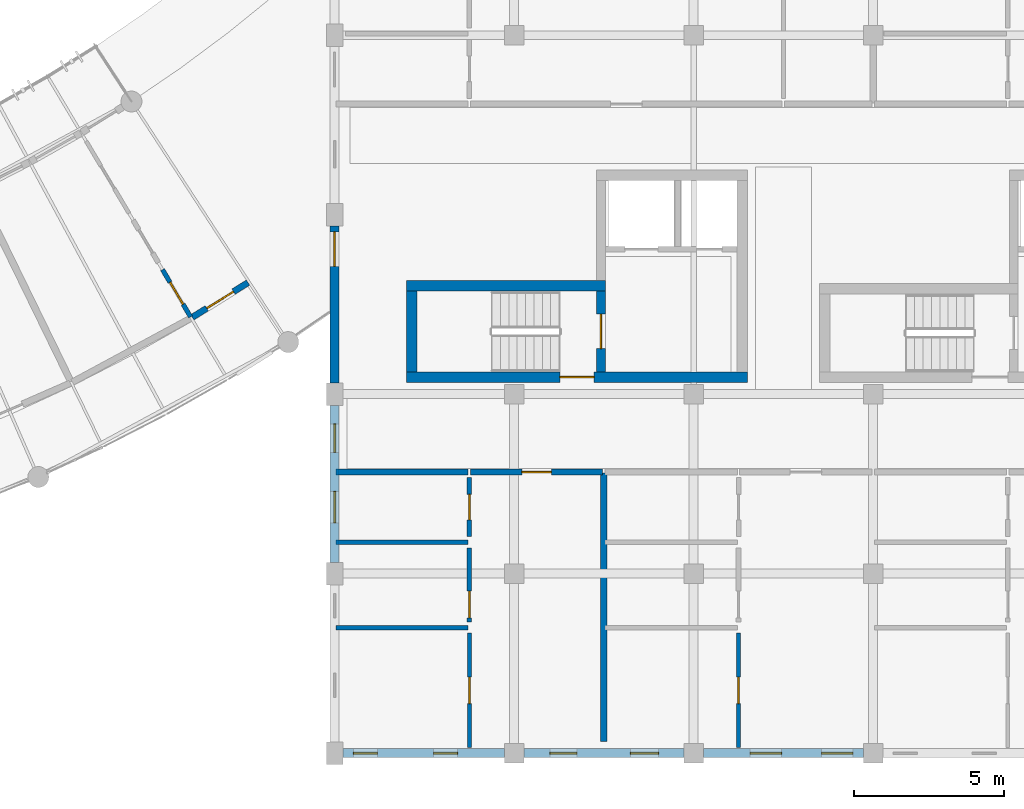
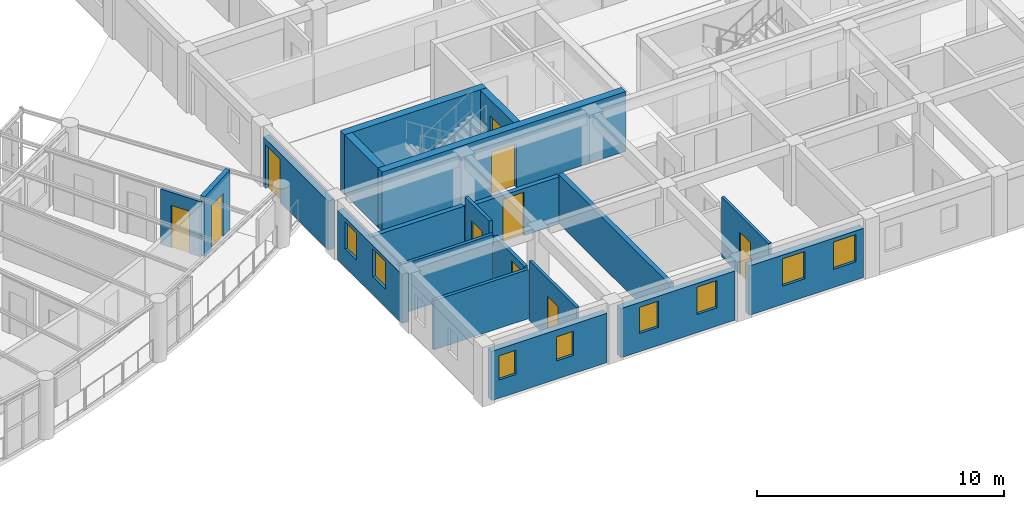
# One storey, part 83 of 123: 20 walls, 10 doors, 8 windows, 18 openings.
"""IFC4 building model written with IfcOpenShell, lengths in metres."""

from ifc_helpers import new_model, si_unit, direction, frame, frame_2d, origin, place, context, subcontext, project, spatial, rectangle, extrude, material, layer, layer_set, type_object, element, fill, save


model = new_model("IFC4")

# Units and contexts
model_context = context("Model", 3, precision=1e-05, world=origin(), true_north=direction((0.0, 1.0)))
body_context = subcontext(model_context, "Body", "Model", "MODEL_VIEW")
ifc_project = project(units=[si_unit("LENGTHUNIT", "METRE"), si_unit("AREAUNIT", "SQUARE_METRE"), si_unit("VOLUMEUNIT", "CUBIC_METRE"), si_unit("PLANEANGLEUNIT", "RADIAN"), si_unit("MASSUNIT", "GRAM", prefix="KILO"), si_unit("POWERUNIT", "WATT"), si_unit("THERMODYNAMICTEMPERATUREUNIT", "KELVIN")], contexts=[model_context])

# Site, building, storey
site_placement = place(None, origin())
site = spatial("IfcSite", under=ifc_project, at=site_placement, CompositionType="ELEMENT")
building_placement = place(site_placement, origin())
building = spatial("IfcBuilding", under=site, at=building_placement, Name="Ruvembo Vaulted Housing Court", CompositionType="ELEMENT")
storey_placement = place(building_placement, frame((0.0, 0.0, 7.699951171875)))
storey = spatial("IfcBuildingStorey", under=building, at=storey_placement, Name="L02", CompositionType="ELEMENT", Elevation=7.699951171875)

# Wall, opening, door
ifc_material_1 = material(Name="Concrete C35/45", Category="concrete")
ifc_layer_1 = layer(ifc_material_1, 0.300048828125, Name="Concrete C35/45")
ifc_layer_set_1 = layer_set([ifc_layer_1], Name="Concrete C35/45")
wall_type_1 = type_object("IfcWallType", Name="WL-CORE-300", PredefinedType="SHEAR", material=ifc_layer_set_1)
wall_1_placement = place(storey_placement, frame((110.89990234375, 12.75, 0.0), z_axis=(0.0, 0.0, 1.0), x_axis=(0.0, 1.0, 0.0)))
wall_1 = element("IfcWall", 1, at=wall_1_placement, inside=storey, type_object=wall_type_1, Name="Core C1 L02 Stair-Lobby Shear Wall", PredefinedType="SHEAR", context=body_context, shape_type="SweptSolid", body=[
    extrude(rectangle(XDim=2.699951171875, YDim=0.300048828125, at=frame_2d((1.35009765625, 0.0))), origin(), (0.0, 0.0, 1.0), 2.955078125),
])
opening_1_placement = place(wall_1_placement, frame((0.77490234375, 0.0, 0.0)))
opening_1 = element("IfcOpeningElement", 2, at=opening_1_placement, cuts=wall_1, Name="Opening SD1", PredefinedType="OPENING", context=body_context, shape_type="SweptSolid", body=[
    extrude(rectangle(XDim=1.14990234375, YDim=2.14990234375, at=frame_2d((0.574951171875, 1.074951171875))), frame((0.0, 0.159912109375, 0.0), z_axis=(0.0, -1.0, 0.0), x_axis=(1.0, 0.0, 0.0)), (0.0, 0.0, 1.0), 0.320068359375),
])
ifc_material_2 = material(Name="Galvanised Painted Steel", Category="steel")
door_type_1 = type_object("IfcDoorType", Name="DR-STAIR-1150x2150", OperationType="NOTDEFINED", PredefinedType="DOOR", material=ifc_material_2)
door_1_placement = place(opening_1_placement, origin())
door_1 = element("IfcDoor", 3, at=door_1_placement, inside=storey, type_object=door_type_1, Name="Stair ST-C1 L02 Fire Door", OperationType="SINGLE_SWING_LEFT", OverallHeight=2.14990234375, OverallWidth=1.14990234375, PredefinedType="DOOR", context=body_context, shape_type="SweptSolid", body=[
    extrude(rectangle(XDim=1.14990234375, YDim=2.14990234375, at=frame_2d((0.574951171875, 1.074951171875))), frame((0.0, 0.02490234375, 0.0), z_axis=(0.0, -1.0, 0.0), x_axis=(1.0, 0.0, 0.0)), (0.0, 0.0, 1.0), 0.050048828125),
])
fill(opening_1, door_1)

ifc_layer_2 = layer(ifc_material_1, 0.35009765625, Name="Concrete C35/45")
ifc_layer_set_2 = layer_set([ifc_layer_2], Name="Concrete C35/45")
wall_type_2 = type_object("IfcWallType", Name="WL-CORE-350", PredefinedType="SHEAR", material=ifc_layer_set_2)
wall_2_placement = place(storey_placement, frame((104.39990234375, 12.574951171875, 0.0), z_axis=(0.0, 0.0, 1.0), x_axis=(1.0, 0.0, 0.0)))
wall_2 = element("IfcWall", 4, at=wall_2_placement, inside=storey, type_object=wall_type_2, Name="Core C1 L02 South Shear Wall", PredefinedType="SHEAR", context=body_context, shape_type="SweptSolid", body=[
    extrude(rectangle(XDim=11.400146484375, YDim=0.35009765625, at=frame_2d((5.7001953125, 0.0))), origin(), (0.0, 0.0, 1.0), 2.955078125),
])
opening_2_placement = place(wall_2_placement, frame((5.125, 0.0, 0.0)))
opening_2 = element("IfcOpeningElement", 5, at=opening_2_placement, cuts=wall_2, Name="Opening LD0", PredefinedType="OPENING", context=body_context, shape_type="SweptSolid", body=[
    extrude(rectangle(XDim=1.14990234375, YDim=2.14990234375, at=frame_2d((0.574951171875, 1.074951171875))), frame((0.0, 0.18505859375, 0.0), z_axis=(0.0, -1.0, 0.0), x_axis=(1.0, 0.0, 0.0)), (0.0, 0.0, 1.0), 0.3701171875),
])
door_type_2 = type_object("IfcDoorType", Name="DR-LOB-1150x2150", OperationType="NOTDEFINED", PredefinedType="DOOR", material=ifc_material_2)
door_2_placement = place(opening_2_placement, origin())
door_2 = element("IfcDoor", 6, at=door_2_placement, inside=storey, type_object=door_type_2, Name="Core C1 L02 Lobby Fire Door", OperationType="SINGLE_SWING_RIGHT", OverallHeight=2.14990234375, OverallWidth=1.14990234375, PredefinedType="DOOR", context=body_context, shape_type="SweptSolid", body=[
    extrude(rectangle(XDim=1.14990234375, YDim=2.14990234375, at=frame_2d((0.574951171875, 1.074951171875))), frame((0.0, 0.02490234375, 0.0), z_axis=(0.0, -1.0, 0.0), x_axis=(1.0, 0.0, 0.0)), (0.0, 0.0, 1.0), 0.050048828125),
])
fill(opening_2, door_2)

# Walls
wall_3_placement = place(storey_placement, frame((111.050048828125, 15.625, 0.0), z_axis=(0.0, 0.0, 1.0), x_axis=(-1.0, 0.0, 0.0)))
element("IfcWall", 7, at=wall_3_placement, inside=storey, type_object=wall_type_2, Name="Core C1 L02 Stair North Shear Wall", PredefinedType="SHEAR", context=body_context, shape_type="SweptSolid", body=[
    extrude(rectangle(XDim=6.650146484375, YDim=0.35009765625, at=frame_2d((3.3251953125, 0.0))), origin(), (0.0, 0.0, 1.0), 2.955078125),
])
wall_4_placement = place(storey_placement, frame((104.574951171875, 15.449951171875, 0.0), z_axis=(0.0, 0.0, 1.0), x_axis=(0.0, -1.0, 0.0)))
element("IfcWall", 8, at=wall_4_placement, inside=storey, type_object=wall_type_2, Name="Core C1 L02 Stair West Shear Wall", PredefinedType="SHEAR", context=body_context, shape_type="SweptSolid", body=[
    extrude(rectangle(XDim=2.699951171875, YDim=0.35009765625, at=frame_2d((1.35009765625, 0.0))), origin(), (0.0, 0.0, 1.0), 2.955078125),
])
ifc_material_3 = material(Name="Concrete Blockwork 210", Category="masonry")
ifc_layer_3 = layer(ifc_material_3, 0.2099609375, Name="Concrete Blockwork 210")
ifc_layer_set_3 = layer_set([ifc_layer_3], Name="Concrete Blockwork 210")
wall_type_3 = type_object("IfcWallType", Name="WL-CORR-210", PredefinedType="SOLIDWALL", material=ifc_layer_set_3)
wall_5_placement = place(storey_placement, frame((102.0400390625, 9.39990234375, 0.0), z_axis=(0.0, 0.0, 1.0), x_axis=(1.0, 0.0, 0.0)))
element("IfcWall", 9, at=wall_5_placement, inside=storey, type_object=wall_type_3, Name="L02 Flat C-L02-S1 Corridor Wall WL-INT-L02-00583", PredefinedType="SOLIDWALL", context=body_context, shape_type="SweptSolid", body=[
    extrude(rectangle(XDim=4.419921875, YDim=0.2099609375, at=frame_2d((2.2099609375, 0.0))), origin(), (0.0, 0.0, 1.0), 2.43701171875),
])

# Wall, opening, door
wall_6_placement = place(storey_placement, frame((106.5400390625, 9.39990234375, 0.0), z_axis=(0.0, 0.0, 1.0), x_axis=(1.0, 0.0, 0.0)))
wall_6 = element("IfcWall", 10, at=wall_6_placement, inside=storey, type_object=wall_type_3, Name="L02 Flat C-L02-S1 Entrance WL-INT-L02-00584", PredefinedType="SOLIDWALL", context=body_context, shape_type="SweptSolid", body=[
    extrude(rectangle(XDim=4.419921875, YDim=0.2099609375, at=frame_2d((2.2099609375, 0.0))), origin(), (0.0, 0.0, 1.0), 2.337158203125),
])
opening_3_placement = place(wall_6_placement, frame((1.719970703125, 0.0, 0.0)))
opening_3 = element("IfcOpeningElement", 11, at=opening_3_placement, cuts=wall_6, Name="Opening FD2", PredefinedType="OPENING", context=body_context, shape_type="SweptSolid", body=[
    extrude(rectangle(XDim=0.97998046875, YDim=2.14990234375, at=frame_2d((0.489990234375, 1.074951171875))), frame((0.0, 0.114990234375, 0.0), z_axis=(0.0, -1.0, 0.0), x_axis=(1.0, 0.0, 0.0)), (0.0, 0.0, 1.0), 0.22998046875),
])
ifc_material_4 = material(Name="FSC Hardwood and Engineered Timber", Category="wood")
door_type_3 = type_object("IfcDoorType", Name="DR-FLAT-0980x2150", OperationType="NOTDEFINED", PredefinedType="DOOR", material=ifc_material_4)
door_3_placement = place(opening_3_placement, origin())
door_3 = element("IfcDoor", 12, at=door_3_placement, inside=storey, type_object=door_type_3, Name="L02 Flat C-L02-S1 Entrance Door DR-INT-L02-00316", OperationType="SINGLE_SWING_RIGHT", OverallHeight=2.14990234375, OverallWidth=0.97998046875, PredefinedType="DOOR", context=body_context, shape_type="SweptSolid", body=[
    extrude(rectangle(XDim=0.97998046875, YDim=2.14990234375, at=frame_2d((0.489990234375, 1.074951171875))), frame((0.0, 0.02490234375, 0.0), z_axis=(0.0, -1.0, 0.0), x_axis=(1.0, 0.0, 0.0)), (0.0, 0.0, 1.0), 0.050048828125),
])
fill(opening_3, door_3)

wall_7_placement = place(storey_placement, frame((97.238525390625, 14.57080078125, 0.0), z_axis=(0.0, 0.0, 1.0), x_axis=(0.848914783767, 0.528529743631, 0.0)))
wall_7 = element("IfcWall", 13, at=wall_7_placement, inside=storey, type_object=wall_type_3, Name="L02 Suite SC2-L02-U6 Entrance WL-INT-L02-00736", PredefinedType="SOLIDWALL", context=body_context, shape_type="SweptSolid", body=[
    extrude(rectangle(XDim=2.197021484375, YDim=0.2099609375, at=frame_2d((1.0986328125, 0.0))), origin(), (0.0, 0.0, 1.0), 2.955078125),
])
opening_4_placement = place(wall_7_placement, frame((0.573486328125, 0.0, 0.0)))
opening_4 = element("IfcOpeningElement", 14, at=opening_4_placement, cuts=wall_7, Name="Opening FD3", PredefinedType="OPENING", context=body_context, shape_type="SweptSolid", body=[
    extrude(rectangle(XDim=1.050048828125, YDim=2.14990234375, at=frame_2d((0.52490234375, 1.074951171875))), frame((0.0, 0.114990234375, 0.0), z_axis=(0.0, -1.0, 0.0), x_axis=(1.0, 0.0, 0.0)), (0.0, 0.0, 1.0), 0.22998046875),
])
door_type_4 = type_object("IfcDoorType", Name="DR-FLAT-1050x2150", OperationType="NOTDEFINED", PredefinedType="DOOR", material=ifc_material_4)
door_4_placement = place(opening_4_placement, origin())
door_4 = element("IfcDoor", 15, at=door_4_placement, inside=storey, type_object=door_type_4, Name="L02 Suite SC2-L02-U6 Entrance Door DR-INT-L02-00404", OperationType="SINGLE_SWING_RIGHT", OverallHeight=2.14990234375, OverallWidth=1.050048828125, PredefinedType="DOOR", context=body_context, shape_type="SweptSolid", body=[
    extrude(rectangle(XDim=1.050048828125, YDim=2.14990234375, at=frame_2d((0.52490234375, 1.074951171875))), frame((0.0, 0.02490234375, 0.0), z_axis=(0.0, -1.0, 0.0), x_axis=(1.0, 0.0, 0.0)), (0.0, 0.0, 1.0), 0.050048828125),
])
fill(opening_4, door_4)

# Wall
ifc_material_5 = material(Name="Acoustic Masonry Demising 220", Category="masonry")
ifc_layer_4 = layer(ifc_material_5, 0.219970703125, Name="Acoustic Masonry Demising 220")
ifc_layer_set_4 = layer_set([ifc_layer_4], Name="Acoustic Masonry Demising 220")
wall_type_4 = type_object("IfcWallType", Name="WL-DEM-200", PredefinedType="SOLIDWALL", material=ifc_layer_set_4)
wall_8_placement = place(storey_placement, frame((111.0, 0.389892578125, 0.0), z_axis=(0.0, 0.0, 1.0), x_axis=(0.0, 1.0, 0.0)))
element("IfcWall", 16, at=wall_8_placement, inside=storey, type_object=wall_type_4, Name="L02 Demising C-L02-S1 WL-INT-L02-00582", PredefinedType="SOLIDWALL", context=body_context, shape_type="SweptSolid", body=[
    extrude(rectangle(XDim=8.97021484375, YDim=0.219970703125, at=frame_2d((4.485107421875, 0.0))), origin(), (0.0, 0.0, 1.0), 2.43701171875),
])

# Wall, openings, windows
ifc_material_6 = material(Name="Rendered Masonry 300", Category="masonry")
ifc_layer_5 = layer(ifc_material_6, 0.300048828125, Name="Rendered Masonry 300")
ifc_layer_set_5 = layer_set([ifc_layer_5], Name="Rendered Masonry 300")
wall_type_5 = type_object("IfcWallType", Name="WL-EXT-300", PredefinedType="STANDARD", material=ifc_layer_set_5)
wall_9_placement = place(storey_placement, frame((102.27490234375, 0.0, 0.0), z_axis=(0.0, 0.0, 1.0), x_axis=(1.0, 0.0, 0.0)))
wall_9 = element("IfcWall", 17, at=wall_9_placement, inside=storey, type_object=wall_type_5, Name="Block C L02 Exterior Wall STREET #1", PredefinedType="STANDARD", context=body_context, shape_type="SweptSolid", body=[
    extrude(rectangle(XDim=5.400146484375, YDim=0.300048828125, at=frame_2d((2.7001953125, 0.0))), origin(), (0.0, 0.0, 1.0), 2.43701171875),
])
opening_5_placement = place(wall_9_placement, frame((0.35009765625, 0.0, 0.89990234375)))
opening_5 = element("IfcOpeningElement", 18, at=opening_5_placement, cuts=wall_9, Name="Opening W02", PredefinedType="OPENING", context=body_context, shape_type="SweptSolid", body=[
    extrude(rectangle(XDim=0.800048828125, YDim=1.199951171875, at=frame_2d((0.39990234375, 0.60009765625))), frame((0.0, 0.159912109375, 0.0), z_axis=(0.0, -1.0, 0.0), x_axis=(1.0, 0.0, 0.0)), (0.0, 0.0, 1.0), 0.320068359375),
])
opening_6_placement = place(wall_9_placement, frame((3.034912109375, 0.0, 0.89990234375)))
opening_6 = element("IfcOpeningElement", 19, at=opening_6_placement, cuts=wall_9, Name="Opening W02", PredefinedType="OPENING", context=body_context, shape_type="SweptSolid", body=[
    extrude(rectangle(XDim=0.800048828125, YDim=1.199951171875, at=frame_2d((0.39990234375, 0.60009765625))), frame((0.0, 0.159912109375, 0.0), z_axis=(0.0, -1.0, 0.0), x_axis=(1.0, 0.0, 0.0)), (0.0, 0.0, 1.0), 0.320068359375),
])
ifc_material_7 = material(Name="Double Solar-Control Glazing in Aluminium Frame", Category="aluminium")
window_type_1 = type_object("IfcWindowType", Name="WIN-0800x1200", PartitioningType="SINGLE_PANEL", PredefinedType="WINDOW", material=ifc_material_7)
window_1_placement = place(opening_5_placement, origin())
window_1 = element("IfcWindow", 20, at=window_1_placement, inside=storey, type_object=window_type_1, Name="Block C L02 Window #1152", OverallHeight=1.199951171875, OverallWidth=0.800048828125, PartitioningType="SINGLE_PANEL", PredefinedType="WINDOW", context=body_context, shape_type="SweptSolid", body=[
    extrude(rectangle(XDim=0.800048828125, YDim=1.199951171875, at=frame_2d((0.39990234375, 0.60009765625))), frame((0.0, 0.030029296875, 0.0), z_axis=(0.0, -1.0, 0.0), x_axis=(1.0, 0.0, 0.0)), (0.0, 0.0, 1.0), 0.06005859375),
])
fill(opening_5, window_1)
window_2_placement = place(opening_6_placement, origin())
window_2 = element("IfcWindow", 21, at=window_2_placement, inside=storey, type_object=window_type_1, Name="Block C L02 Window #1153", OverallHeight=1.199951171875, OverallWidth=0.800048828125, PartitioningType="SINGLE_PANEL", PredefinedType="WINDOW", context=body_context, shape_type="SweptSolid", body=[
    extrude(rectangle(XDim=0.800048828125, YDim=1.199951171875, at=frame_2d((0.39990234375, 0.60009765625))), frame((0.0, 0.030029296875, 0.0), z_axis=(0.0, -1.0, 0.0), x_axis=(1.0, 0.0, 0.0)), (0.0, 0.0, 1.0), 0.06005859375),
])
fill(opening_6, window_2)

wall_10_placement = place(storey_placement, frame((108.324951171875, 0.0, 0.0), z_axis=(0.0, 0.0, 1.0), x_axis=(1.0, 0.0, 0.0)))
wall_10 = element("IfcWall", 22, at=wall_10_placement, inside=storey, type_object=wall_type_5, Name="Block C L02 Exterior Wall STREET #2", PredefinedType="STANDARD", context=body_context, shape_type="SweptSolid", body=[
    extrude(rectangle(XDim=5.35009765625, YDim=0.300048828125, at=frame_2d((2.675048828125, 0.0))), origin(), (0.0, 0.0, 1.0), 2.43701171875),
])
opening_7_placement = place(wall_10_placement, frame((0.867431640625, 0.0, 0.89990234375)))
opening_7 = element("IfcOpeningElement", 23, at=opening_7_placement, cuts=wall_10, Name="Opening W04", PredefinedType="OPENING", context=body_context, shape_type="SweptSolid", body=[
    extrude(rectangle(XDim=0.89990234375, YDim=1.300048828125, at=frame_2d((0.449951171875, 0.64990234375))), frame((0.0, 0.159912109375, 0.0), z_axis=(0.0, -1.0, 0.0), x_axis=(1.0, 0.0, 0.0)), (0.0, 0.0, 1.0), 0.320068359375),
])
opening_8_placement = place(wall_10_placement, frame((3.5576171875, 0.0, 0.89990234375)))
opening_8 = element("IfcOpeningElement", 24, at=opening_8_placement, cuts=wall_10, Name="Opening W07", PredefinedType="OPENING", context=body_context, shape_type="SweptSolid", body=[
    extrude(rectangle(XDim=0.949951171875, YDim=1.35009765625, at=frame_2d((0.47509765625, 0.675048828125))), frame((0.0, 0.159912109375, 0.0), z_axis=(0.0, -1.0, 0.0), x_axis=(1.0, 0.0, 0.0)), (0.0, 0.0, 1.0), 0.320068359375),
])
window_type_2 = type_object("IfcWindowType", Name="WIN-0900x1300", PartitioningType="SINGLE_PANEL", PredefinedType="WINDOW", material=ifc_material_7)
window_3_placement = place(opening_7_placement, origin())
window_3 = element("IfcWindow", 25, at=window_3_placement, inside=storey, type_object=window_type_2, Name="Block C L02 Window #1154", OverallHeight=1.300048828125, OverallWidth=0.89990234375, PartitioningType="SINGLE_PANEL", PredefinedType="WINDOW", context=body_context, shape_type="SweptSolid", body=[
    extrude(rectangle(XDim=0.89990234375, YDim=1.300048828125, at=frame_2d((0.449951171875, 0.64990234375))), frame((0.0, 0.030029296875, 0.0), z_axis=(0.0, -1.0, 0.0), x_axis=(1.0, 0.0, 0.0)), (0.0, 0.0, 1.0), 0.06005859375),
])
fill(opening_7, window_3)
window_type_3 = type_object("IfcWindowType", Name="WIN-0950x1350", PartitioningType="SINGLE_PANEL", PredefinedType="WINDOW", material=ifc_material_7)
window_4_placement = place(opening_8_placement, origin())
window_4 = element("IfcWindow", 26, at=window_4_placement, inside=storey, type_object=window_type_3, Name="Block C L02 Window #1155", OverallHeight=1.35009765625, OverallWidth=0.949951171875, PartitioningType="SINGLE_PANEL", PredefinedType="WINDOW", context=body_context, shape_type="SweptSolid", body=[
    extrude(rectangle(XDim=0.949951171875, YDim=1.35009765625, at=frame_2d((0.47509765625, 0.675048828125))), frame((0.0, 0.030029296875, 0.0), z_axis=(0.0, -1.0, 0.0), x_axis=(1.0, 0.0, 0.0)), (0.0, 0.0, 1.0), 0.06005859375),
])
fill(opening_8, window_4)

wall_11_placement = place(storey_placement, frame((114.324951171875, 0.0, 0.0), z_axis=(0.0, 0.0, 1.0), x_axis=(1.0, 0.0, 0.0)))
wall_11 = element("IfcWall", 27, at=wall_11_placement, inside=storey, type_object=wall_type_5, Name="Block C L02 Exterior Wall STREET #3", PredefinedType="STANDARD", context=body_context, shape_type="SweptSolid", body=[
    extrude(rectangle(XDim=5.35009765625, YDim=0.300048828125, at=frame_2d((2.675048828125, 0.0))), origin(), (0.0, 0.0, 1.0), 2.43701171875),
])
opening_9_placement = place(wall_11_placement, frame((1.56494140625, 0.0, 0.89990234375)))
opening_9 = element("IfcOpeningElement", 28, at=opening_9_placement, cuts=wall_11, Name="Opening W09", PredefinedType="OPENING", context=body_context, shape_type="SweptSolid", body=[
    extrude(rectangle(XDim=1.050048828125, YDim=1.35009765625, at=frame_2d((0.52490234375, 0.675048828125))), frame((0.0, 0.159912109375, 0.0), z_axis=(0.0, -1.0, 0.0), x_axis=(1.0, 0.0, 0.0)), (0.0, 0.0, 1.0), 0.320068359375),
])
opening_10_placement = place(wall_11_placement, frame((3.949951171875, 0.0, 0.89990234375)))
opening_10 = element("IfcOpeningElement", 29, at=opening_10_placement, cuts=wall_11, Name="Opening W09", PredefinedType="OPENING", context=body_context, shape_type="SweptSolid", body=[
    extrude(rectangle(XDim=1.050048828125, YDim=1.35009765625, at=frame_2d((0.52490234375, 0.675048828125))), frame((0.0, 0.159912109375, 0.0), z_axis=(0.0, -1.0, 0.0), x_axis=(1.0, 0.0, 0.0)), (0.0, 0.0, 1.0), 0.320068359375),
])
window_type_4 = type_object("IfcWindowType", Name="WIN-1050x1350", PartitioningType="SINGLE_PANEL", PredefinedType="WINDOW", material=ifc_material_7)
window_5_placement = place(opening_9_placement, origin())
window_5 = element("IfcWindow", 30, at=window_5_placement, inside=storey, type_object=window_type_4, Name="Block C L02 Window #1156", OverallHeight=1.35009765625, OverallWidth=1.050048828125, PartitioningType="SINGLE_PANEL", PredefinedType="WINDOW", context=body_context, shape_type="SweptSolid", body=[
    extrude(rectangle(XDim=1.050048828125, YDim=1.35009765625, at=frame_2d((0.52490234375, 0.675048828125))), frame((0.0, 0.030029296875, 0.0), z_axis=(0.0, -1.0, 0.0), x_axis=(1.0, 0.0, 0.0)), (0.0, 0.0, 1.0), 0.06005859375),
])
fill(opening_9, window_5)
window_6_placement = place(opening_10_placement, origin())
window_6 = element("IfcWindow", 31, at=window_6_placement, inside=storey, type_object=window_type_4, Name="Block C L02 Window #1157", OverallHeight=1.35009765625, OverallWidth=1.050048828125, PartitioningType="SINGLE_PANEL", PredefinedType="WINDOW", context=body_context, shape_type="SweptSolid", body=[
    extrude(rectangle(XDim=1.050048828125, YDim=1.35009765625, at=frame_2d((0.52490234375, 0.675048828125))), frame((0.0, 0.030029296875, 0.0), z_axis=(0.0, -1.0, 0.0), x_axis=(1.0, 0.0, 0.0)), (0.0, 0.0, 1.0), 0.06005859375),
])
fill(opening_10, window_6)

# Wall, opening, door
wall_12_placement = place(storey_placement, frame((102.0, 17.625, 0.0), z_axis=(0.0, 0.0, 1.0), x_axis=(0.0, -1.0, 0.0)))
wall_12 = element("IfcWall", 32, at=wall_12_placement, inside=storey, type_object=wall_type_5, Name="Block C L02 Exterior Wall WEST #4", PredefinedType="STANDARD", context=body_context, shape_type="SweptSolid", body=[
    extrude(rectangle(XDim=5.25, YDim=0.300048828125, at=frame_2d((2.625, 0.0))), origin(), (0.0, 0.0, 1.0), 2.43701171875),
])
opening_11_placement = place(wall_12_placement, frame((0.199951171875, 0.0, 0.0)))
opening_11 = element("IfcOpeningElement", 33, at=opening_11_placement, cuts=wall_12, Name="Opening GD1", PredefinedType="OPENING", context=body_context, shape_type="SweptSolid", body=[
    extrude(rectangle(XDim=1.14990234375, YDim=2.14990234375, at=frame_2d((0.574951171875, 1.074951171875))), frame((0.0, 0.159912109375, 0.0), z_axis=(0.0, -1.0, 0.0), x_axis=(1.0, 0.0, 0.0)), (0.0, 0.0, 1.0), 0.320068359375),
])
ifc_material_8 = material(Name="Thermally Broken Glazed Aluminium", Category="aluminium")
door_type_5 = type_object("IfcDoorType", Name="DR-GAL-1150x2150", OperationType="NOTDEFINED", PredefinedType="DOOR", material=ifc_material_8)
door_5_placement = place(opening_11_placement, frame((1.14990234375, 0.0, 0.0), z_axis=(0.0, 0.0, 1.0), x_axis=(-1.0, 0.0, 0.0)))
door_5 = element("IfcDoor", 34, at=door_5_placement, inside=storey, type_object=door_type_5, Name="Block C L02 Terrace or Gallery Door DR-TER-C-L02-055", OperationType="SINGLE_SWING_RIGHT", OverallHeight=2.14990234375, OverallWidth=1.14990234375, PredefinedType="DOOR", context=body_context, shape_type="SweptSolid", body=[
    extrude(rectangle(XDim=1.14990234375, YDim=2.14990234375, at=frame_2d((0.574951171875, 1.074951171875))), frame((0.0, 0.02490234375, 0.0), z_axis=(0.0, -1.0, 0.0), x_axis=(1.0, 0.0, 0.0)), (0.0, 0.0, 1.0), 0.050048828125),
])
fill(opening_11, door_5)

# Wall, openings, windows
wall_13_placement = place(storey_placement, frame((102.0, 11.625, 0.0), z_axis=(0.0, 0.0, 1.0), x_axis=(0.0, -1.0, 0.0)))
wall_13 = element("IfcWall", 35, at=wall_13_placement, inside=storey, type_object=wall_type_5, Name="Block C L02 Exterior Wall WEST #5", PredefinedType="STANDARD", context=body_context, shape_type="SweptSolid", body=[
    extrude(rectangle(XDim=5.25, YDim=0.300048828125, at=frame_2d((2.625, 0.0))), origin(), (0.0, 0.0, 1.0), 2.43701171875),
])
opening_12_placement = place(wall_13_placement, frame((0.617431640625, 0.0, 0.89990234375)))
opening_12 = element("IfcOpeningElement", 36, at=opening_12_placement, cuts=wall_13, Name="Opening W07", PredefinedType="OPENING", context=body_context, shape_type="SweptSolid", body=[
    extrude(rectangle(XDim=0.949951171875, YDim=1.35009765625, at=frame_2d((0.47509765625, 0.675048828125))), frame((0.0, 0.159912109375, 0.0), z_axis=(0.0, -1.0, 0.0), x_axis=(1.0, 0.0, 0.0)), (0.0, 0.0, 1.0), 0.320068359375),
])
opening_13_placement = place(wall_13_placement, frame((2.875, 0.0, 0.89990234375)))
opening_13 = element("IfcOpeningElement", 37, at=opening_13_placement, cuts=wall_13, Name="Opening W09", PredefinedType="OPENING", context=body_context, shape_type="SweptSolid", body=[
    extrude(rectangle(XDim=1.050048828125, YDim=1.35009765625, at=frame_2d((0.52490234375, 0.675048828125))), frame((0.0, 0.159912109375, 0.0), z_axis=(0.0, -1.0, 0.0), x_axis=(1.0, 0.0, 0.0)), (0.0, 0.0, 1.0), 0.320068359375),
])
window_7_placement = place(opening_12_placement, origin())
window_7 = element("IfcWindow", 38, at=window_7_placement, inside=storey, type_object=window_type_3, Name="Block C L02 Window #1191", OverallHeight=1.35009765625, OverallWidth=0.949951171875, PartitioningType="SINGLE_PANEL", PredefinedType="WINDOW", context=body_context, shape_type="SweptSolid", body=[
    extrude(rectangle(XDim=0.949951171875, YDim=1.35009765625, at=frame_2d((0.47509765625, 0.675048828125))), frame((0.0, 0.030029296875, 0.0), z_axis=(0.0, -1.0, 0.0), x_axis=(1.0, 0.0, 0.0)), (0.0, 0.0, 1.0), 0.06005859375),
])
fill(opening_12, window_7)
window_8_placement = place(opening_13_placement, origin())
window_8 = element("IfcWindow", 39, at=window_8_placement, inside=storey, type_object=window_type_4, Name="Block C L02 Window #1192", OverallHeight=1.35009765625, OverallWidth=1.050048828125, PartitioningType="SINGLE_PANEL", PredefinedType="WINDOW", context=body_context, shape_type="SweptSolid", body=[
    extrude(rectangle(XDim=1.050048828125, YDim=1.35009765625, at=frame_2d((0.52490234375, 0.675048828125))), frame((0.0, 0.030029296875, 0.0), z_axis=(0.0, -1.0, 0.0), x_axis=(1.0, 0.0, 0.0)), (0.0, 0.0, 1.0), 0.06005859375),
])
fill(opening_13, window_8)

# Wall, opening, door
ifc_material_9 = material(Name="Plasterboard Stud Partition 125", Category="gypsum")
ifc_layer_6 = layer(ifc_material_9, 0.125, Name="Plasterboard Stud Partition 125")
ifc_layer_set_6 = layer_set([ifc_layer_6], Name="Plasterboard Stud Partition 125")
wall_type_6 = type_object("IfcWallType", Name="WL-PART-125", PredefinedType="PARTITIONING", material=ifc_layer_set_6)
wall_14_placement = place(storey_placement, frame((115.5, 0.18994140625, 0.0), z_axis=(0.0, 0.0, 1.0), x_axis=(0.0, 1.0, 0.0)))
wall_14 = element("IfcWall", 40, at=wall_14_placement, inside=storey, type_object=wall_type_6, Name="L02 Flat C-L02-S2 Bedroom 1 WL-INT-L02-00593", PredefinedType="PARTITIONING", context=body_context, shape_type="SweptSolid", body=[
    extrude(rectangle(XDim=3.820068359375, YDim=0.125, at=frame_2d((1.91015625, 0.0))), origin(), (0.0, 0.0, 1.0), 2.955078125),
])
opening_14_placement = place(wall_14_placement, frame((1.469970703125, 0.0, 0.0)))
opening_14 = element("IfcOpeningElement", 41, at=opening_14_placement, cuts=wall_14, Name="Opening ID3", PredefinedType="OPENING", context=body_context, shape_type="SweptSolid", body=[
    extrude(rectangle(XDim=0.8798828125, YDim=2.10009765625, at=frame_2d((0.43994140625, 1.050048828125))), frame((0.0, 0.072509765625, 0.0), z_axis=(0.0, -1.0, 0.0), x_axis=(1.0, 0.0, 0.0)), (0.0, 0.0, 1.0), 0.14501953125),
])
door_type_6 = type_object("IfcDoorType", Name="DR-ROOM-0880x2100", OperationType="NOTDEFINED", PredefinedType="DOOR", material=ifc_material_4)
door_6_placement = place(opening_14_placement, origin())
door_6 = element("IfcDoor", 42, at=door_6_placement, inside=storey, type_object=door_type_6, Name="L02 Flat C-L02-S2 Bedroom 1 Door DR-INT-L02-00321", OperationType="SINGLE_SWING_LEFT", OverallHeight=2.10009765625, OverallWidth=0.8798828125, PredefinedType="DOOR", context=body_context, shape_type="SweptSolid", body=[
    extrude(rectangle(XDim=0.8798828125, YDim=2.10009765625, at=frame_2d((0.43994140625, 1.050048828125))), frame((0.0, 0.02490234375, 0.0), z_axis=(0.0, -1.0, 0.0), x_axis=(1.0, 0.0, 0.0)), (0.0, 0.0, 1.0), 0.050048828125),
])
fill(opening_14, door_6)

ifc_material_10 = material(Name="Acoustic Stud Partition 135", Category="gypsum")
ifc_layer_7 = layer(ifc_material_10, 0.135009765625, Name="Acoustic Stud Partition 135")
ifc_layer_set_7 = layer_set([ifc_layer_7], Name="Acoustic Stud Partition 135")
wall_type_7 = type_object("IfcWallType", Name="WL-PART-135", PredefinedType="PARTITIONING", material=ifc_layer_set_7)
wall_15_placement = place(storey_placement, frame((106.5, 0.18994140625, 0.0), z_axis=(0.0, 0.0, 1.0), x_axis=(0.0, 1.0, 0.0)))
wall_15 = element("IfcWall", 43, at=wall_15_placement, inside=storey, type_object=wall_type_7, Name="L02 Flat C-L02-S1 Bedroom 1 WL-INT-L02-00585", PredefinedType="PARTITIONING", context=body_context, shape_type="SweptSolid", body=[
    extrude(rectangle(XDim=3.820068359375, YDim=0.135009765625, at=frame_2d((1.91015625, 0.0))), origin(), (0.0, 0.0, 1.0), 2.955078125),
])
opening_15_placement = place(wall_15_placement, frame((1.469970703125, 0.0, 0.0)))
opening_15 = element("IfcOpeningElement", 44, at=opening_15_placement, cuts=wall_15, Name="Opening ID3", PredefinedType="OPENING", context=body_context, shape_type="SweptSolid", body=[
    extrude(rectangle(XDim=0.8798828125, YDim=2.10009765625, at=frame_2d((0.43994140625, 1.050048828125))), frame((0.0, 0.077392578125, 0.0), z_axis=(0.0, -1.0, 0.0), x_axis=(1.0, 0.0, 0.0)), (0.0, 0.0, 1.0), 0.155029296875),
])
door_7_placement = place(opening_15_placement, origin())
door_7 = element("IfcDoor", 45, at=door_7_placement, inside=storey, type_object=door_type_6, Name="L02 Flat C-L02-S1 Bedroom 1 Door DR-INT-L02-00317", OperationType="SINGLE_SWING_LEFT", OverallHeight=2.10009765625, OverallWidth=0.8798828125, PredefinedType="DOOR", context=body_context, shape_type="SweptSolid", body=[
    extrude(rectangle(XDim=0.8798828125, YDim=2.10009765625, at=frame_2d((0.43994140625, 1.050048828125))), frame((0.0, 0.02490234375, 0.0), z_axis=(0.0, -1.0, 0.0), x_axis=(1.0, 0.0, 0.0)), (0.0, 0.0, 1.0), 0.050048828125),
])
fill(opening_15, door_7)

ifc_material_11 = material(Name="Moisture-Resistant Wet Partition 150", Category="gypsum")
ifc_layer_8 = layer(ifc_material_11, 0.14990234375, Name="Moisture-Resistant Wet Partition 150")
ifc_layer_set_8 = layer_set([ifc_layer_8], Name="Moisture-Resistant Wet Partition 150")
wall_type_8 = type_object("IfcWallType", Name="WL-PART-150", PredefinedType="PARTITIONING", material=ifc_layer_set_8)
wall_16_placement = place(storey_placement, frame((106.5, 7.239990234375, 0.0), z_axis=(0.0, 0.0, 1.0), x_axis=(0.0, 1.0, 0.0)))
wall_16 = element("IfcWall", 46, at=wall_16_placement, inside=storey, type_object=wall_type_8, Name="L02 Flat C-L02-S1 Bathroom WL-INT-L02-00587", PredefinedType="PARTITIONING", context=body_context, shape_type="SweptSolid", body=[
    extrude(rectangle(XDim=1.969970703125, YDim=0.14990234375, at=frame_2d((0.98486328125, 0.0))), origin(), (0.0, 0.0, 1.0), 2.955078125),
])
opening_16_placement = place(wall_16_placement, frame((0.56005859375, 0.0, 0.0)))
opening_16 = element("IfcOpeningElement", 47, at=opening_16_placement, cuts=wall_16, Name="Opening ID2", PredefinedType="OPENING", context=body_context, shape_type="SweptSolid", body=[
    extrude(rectangle(XDim=0.85009765625, YDim=2.10009765625, at=frame_2d((0.425048828125, 1.050048828125))), frame((0.0, 0.0849609375, 0.0), z_axis=(0.0, -1.0, 0.0), x_axis=(1.0, 0.0, 0.0)), (0.0, 0.0, 1.0), 0.169921875),
])
door_type_7 = type_object("IfcDoorType", Name="DR-WET-0850x2100", OperationType="NOTDEFINED", PredefinedType="DOOR", material=ifc_material_4)
door_8_placement = place(opening_16_placement, origin())
door_8 = element("IfcDoor", 48, at=door_8_placement, inside=storey, type_object=door_type_7, Name="L02 Flat C-L02-S1 Bathroom Door DR-INT-L02-00319", OperationType="SINGLE_SWING_LEFT", OverallHeight=2.10009765625, OverallWidth=0.85009765625, PredefinedType="DOOR", context=body_context, shape_type="SweptSolid", body=[
    extrude(rectangle(XDim=0.85009765625, YDim=2.10009765625, at=frame_2d((0.425048828125, 1.050048828125))), frame((0.0, 0.02490234375, 0.0), z_axis=(0.0, -1.0, 0.0), x_axis=(1.0, 0.0, 0.0)), (0.0, 0.0, 1.0), 0.050048828125),
])
fill(opening_16, door_8)

# Walls
for number, where, z_axis, x_axis, name in (
    (49, (102.0400390625, 4.199951171875, 0.0), (0.0, 0.0, 1.0), (1.0, 0.0, 0.0), "L02 Flat C-L02-S1 Wet Wall 1 WL-INT-L02-00588"),
    (50, (102.0400390625, 7.050048828125, 0.0), (0.0, 0.0, 1.0), (1.0, 0.0, 0.0), "L02 Flat C-L02-S1 Wet Wall 2 WL-INT-L02-00589"),
):
    element("IfcWall", number, at=place(storey_placement, frame(where, z_axis=z_axis, x_axis=x_axis)), inside=storey, type_object=wall_type_8, Name=name, PredefinedType="PARTITIONING", context=body_context, shape_type="SweptSolid", body=[
        extrude(rectangle(XDim=4.419921875, YDim=0.14990234375, at=frame_2d((2.2099609375, 0.0))), origin(), (0.0, 0.0, 1.0), 2.43701171875),
    ])

# Wall, opening, door
wall_17_placement = place(storey_placement, frame((96.243896484375, 16.16552734375, 0.0), z_axis=(0.0, 0.0, 1.0), x_axis=(0.510998553825, -0.859581571457, 0.0)))
wall_17 = element("IfcWall", 51, at=wall_17_placement, inside=storey, type_object=wall_type_8, Name="L02 Suite SC2-L02-U6 Bathroom WL-INT-L02-00739", PredefinedType="PARTITIONING", context=body_context, shape_type="SweptSolid", body=[
    extrude(rectangle(XDim=1.83984375, YDim=0.14990234375, at=frame_2d((0.919921875, 0.0))), origin(), (0.0, 0.0, 1.0), 2.741943359375),
])
opening_17_placement = place(wall_17_placement, frame((0.4951171875, 0.0, 0.0)))
opening_17 = element("IfcOpeningElement", 52, at=opening_17_placement, cuts=wall_17, Name="Opening ID2", PredefinedType="OPENING", context=body_context, shape_type="SweptSolid", body=[
    extrude(rectangle(XDim=0.85009765625, YDim=2.10009765625, at=frame_2d((0.425048828125, 1.050048828125))), frame((0.0, 0.0849609375, 0.0), z_axis=(0.0, -1.0, 0.0), x_axis=(1.0, 0.0, 0.0)), (0.0, 0.0, 1.0), 0.169921875),
])
door_9_placement = place(opening_17_placement, origin())
door_9 = element("IfcDoor", 53, at=door_9_placement, inside=storey, type_object=door_type_7, Name="L02 Suite SC2-L02-U6 Bathroom Door DR-INT-L02-00407", OperationType="SINGLE_SWING_LEFT", OverallHeight=2.10009765625, OverallWidth=0.85009765625, PredefinedType="DOOR", context=body_context, shape_type="SweptSolid", body=[
    extrude(rectangle(XDim=0.85009765625, YDim=2.10009765625, at=frame_2d((0.425048828125, 1.050048828125))), frame((0.0, 0.02490234375, 0.0), z_axis=(0.0, -1.0, 0.0), x_axis=(1.0, 0.0, 0.0)), (0.0, 0.0, 1.0), 0.050048828125),
])
fill(opening_17, door_9)

ifc_material_12 = material(Name="Acoustic Service Chase Wall 160", Category="gypsum")
ifc_layer_9 = layer(ifc_material_12, 0.159912109375, Name="Acoustic Service Chase Wall 160")
ifc_layer_set_9 = layer_set([ifc_layer_9], Name="Acoustic Service Chase Wall 160")
wall_type_9 = type_object("IfcWallType", Name="WL-PLUMB-160", PredefinedType="PLUMBINGWALL", material=ifc_layer_set_9)
wall_18_placement = place(storey_placement, frame((106.5, 4.389892578125, 0.0), z_axis=(0.0, 0.0, 1.0), x_axis=(0.0, 1.0, 0.0)))
wall_18 = element("IfcWall", 54, at=wall_18_placement, inside=storey, type_object=wall_type_9, Name="L02 Flat C-L02-S1 Kitchen WL-INT-L02-00586", PredefinedType="PLUMBINGWALL", context=body_context, shape_type="SweptSolid", body=[
    extrude(rectangle(XDim=2.47021484375, YDim=0.159912109375, at=frame_2d((1.235107421875, 0.0))), origin(), (0.0, 0.0, 1.0), 2.43701171875),
])
opening_18_placement = place(wall_18_placement, frame((0.1298828125, 0.0, 0.0)))
opening_18 = element("IfcOpeningElement", 55, at=opening_18_placement, cuts=wall_18, Name="Opening ID1", PredefinedType="OPENING", context=body_context, shape_type="SweptSolid", body=[
    extrude(rectangle(XDim=0.89990234375, YDim=2.10009765625, at=frame_2d((0.449951171875, 1.050048828125))), frame((0.0, 0.08984375, 0.0), z_axis=(0.0, -1.0, 0.0), x_axis=(1.0, 0.0, 0.0)), (0.0, 0.0, 1.0), 0.179931640625),
])
door_type_8 = type_object("IfcDoorType", Name="DR-ROOM-0900x2100", OperationType="NOTDEFINED", PredefinedType="DOOR", material=ifc_material_4)
door_10_placement = place(opening_18_placement, origin())
door_10 = element("IfcDoor", 56, at=door_10_placement, inside=storey, type_object=door_type_8, Name="L02 Flat C-L02-S1 Kitchen Door DR-INT-L02-00318", OperationType="SINGLE_SWING_RIGHT", OverallHeight=2.10009765625, OverallWidth=0.89990234375, PredefinedType="DOOR", context=body_context, shape_type="SweptSolid", body=[
    extrude(rectangle(XDim=0.89990234375, YDim=2.10009765625, at=frame_2d((0.449951171875, 1.050048828125))), frame((0.0, 0.02490234375, 0.0), z_axis=(0.0, -1.0, 0.0), x_axis=(1.0, 0.0, 0.0)), (0.0, 0.0, 1.0), 0.050048828125),
])
fill(opening_18, door_10)

save(model, "model.ifc")
